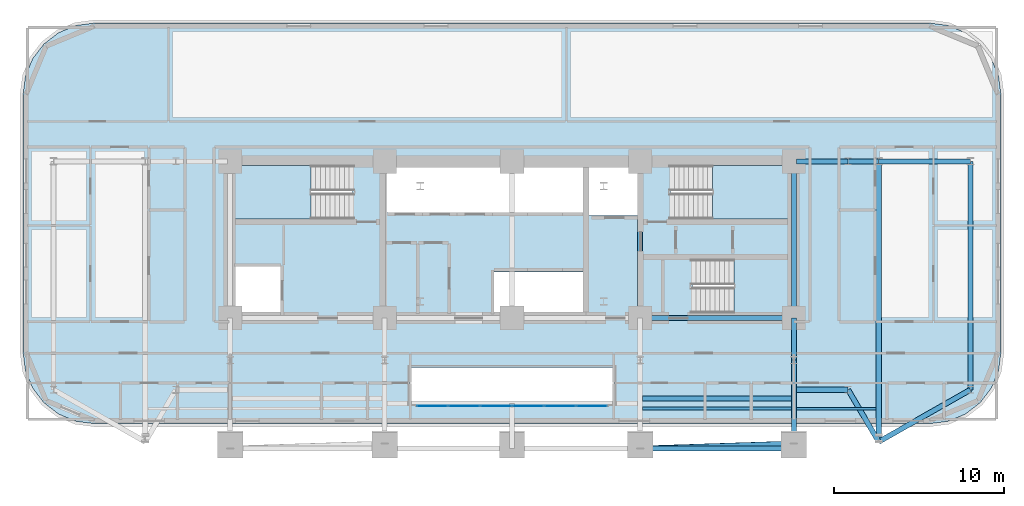
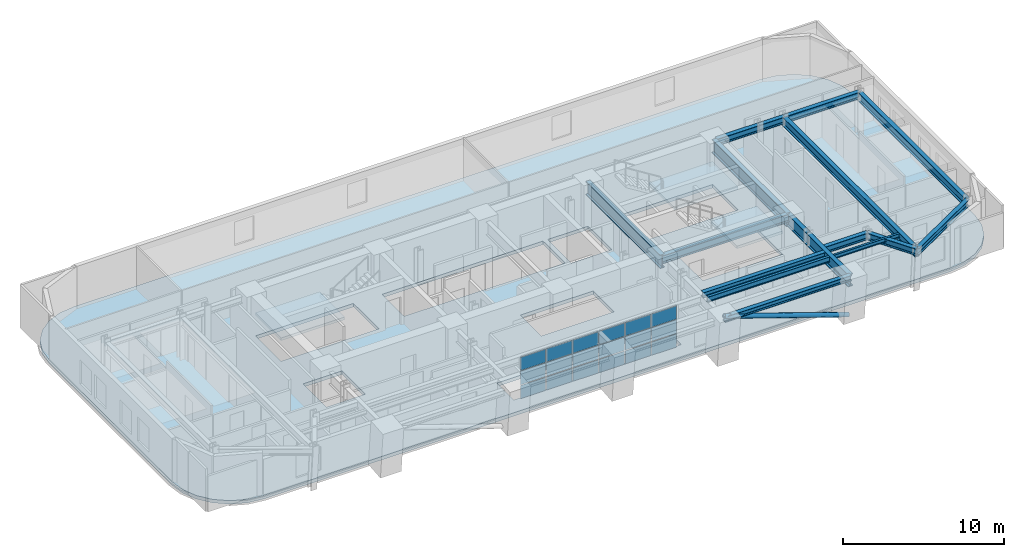
# One storey, part 6 of 16: 18 plates, 17 beams, 4 slabs, 1 member, 4 elements without a shape of their own.
"""IFC4 building model written with IfcOpenShell, lengths in metres."""

from ifc_helpers import new_model, si_unit, direction, frame, origin, origin_2d, place, context, subcontext, project, spatial, polyline, rectangle, hollow_circle, i_section, outline, extrude, material, layer, layer_set, material_profile, profile_set, type_object, element, aggregate, save


model = new_model("IFC4")

# Units and contexts
model_context = context("Model", 3, precision=1e-05, world=origin(), true_north=direction((0.0, 1.0)))
body_context = subcontext(model_context, "Body", "Model", "MODEL_VIEW")
ifc_project = project(units=[si_unit("LENGTHUNIT", "METRE"), si_unit("AREAUNIT", "SQUARE_METRE"), si_unit("VOLUMEUNIT", "CUBIC_METRE"), si_unit("PLANEANGLEUNIT", "RADIAN"), si_unit("MASSUNIT", "GRAM", prefix="KILO")], contexts=[model_context])

# Site, building, storey
site_placement = place(None, origin())
site = spatial("IfcSite", under=ifc_project, at=site_placement, CompositionType="ELEMENT")
building_placement = place(site_placement, origin())
building = spatial("IfcBuilding", under=site, at=building_placement, Name="Zarnavel Station Tower", CompositionType="ELEMENT")
storey_placement = place(building_placement, frame((0.0, 0.0, 64.0)))
storey = spatial("IfcBuildingStorey", under=building, at=storey_placement, Name="L17", CompositionType="ELEMENT", Elevation=64.0)

# Member
ifc_material_1 = material(Name="Steel S355J2", Category="steel")
ifc_material_profile_1 = material_profile(ifc_material_1, hollow_circle(Radius=0.161865234375, WallThickness=0.012451171875, at=origin_2d()), Name="CHS323.9x12.5")
ifc_profile_set_1 = profile_set([ifc_material_profile_1], Name="Steel S355J2")
member_type = type_object("IfcMemberType", Name="DB_EXT_CHS324", PredefinedType="BRACE", material=ifc_profile_set_1)
member_placement = place(storey_placement, frame((45.39990234375, 20.42822265625, 0.0), z_axis=(-0.941042303893, -0.030515076327, 0.336909798612), x_axis=(0.032409856061, -0.999474662625, 0.0)))
element("IfcMember", 1, at=member_placement, inside=storey, type_object=member_type, Name="L17 Persian Exterior Diagonal Frame Brace 2", PredefinedType="BRACE", context=body_context, shape_type="SweptSolid", body=[
    extrude(hollow_circle(Radius=0.161865234375, WallThickness=0.012451171875, at=origin_2d()), origin(), (0.0, 0.0, 1.0), 9.61669921875),
])

# Beams
ifc_material_2 = material(Name="Steel S355J2", Category="steel")
ifc_material_profile_2 = material_profile(ifc_material_2, i_section(OverallWidth=0.300048828125, OverallDepth=0.39990234375, WebThickness=0.013427734375, FlangeThickness=0.02392578125, FilletRadius=0.027099609375, at=origin_2d()), Name="HEB400")
ifc_profile_set_2 = profile_set([ifc_material_profile_2], Name="Steel S355J2")
beam_type_1 = type_object("IfcBeamType", Name="EB_HEB400", PredefinedType="SPANDREL", material=ifc_profile_set_2)
beam_1_placement = place(storey_placement, frame((36.35009765625, 20.134765625, 3.0400390625), z_axis=(1.0, 0.0, 0.0), x_axis=(0.0, 1.0, 0.0)))
element("IfcBeam", 2, at=beam_1_placement, inside=storey, type_object=beam_type_1, Name="L17 South Raked Spandrel 4", PredefinedType="SPANDREL", context=body_context, shape_type="SweptSolid", body=[
    extrude(i_section(OverallWidth=0.300048828125, OverallDepth=0.39990234375, WebThickness=0.013427734375, FlangeThickness=0.02392578125, FilletRadius=0.027099609375, at=origin_2d()), origin(), (0.0, 0.0, 1.0), 9.0498046875),
])
ifc_material_3 = material(Name="Steel S355J2", Category="steel")
ifc_material_profile_3 = material_profile(ifc_material_3, i_section(OverallWidth=0.300048828125, OverallDepth=0.389892578125, WebThickness=0.010986328125, FlangeThickness=0.01904296875, FilletRadius=0.027099609375, at=origin_2d()), Name="HEA400")
ifc_profile_set_3 = profile_set([ifc_material_profile_3], Name="Steel S355J2")
beam_type_2 = type_object("IfcBeamType", Name="FB_HEA400", PredefinedType="BEAM", material=ifc_profile_set_3)
beam_2_placement = place(storey_placement, frame((36.4951171875, 23.094970703125, 3.044921875), z_axis=(1.0, 0.0, 0.0), x_axis=(0.0, 1.0, 0.0)))
element("IfcBeam", 3, at=beam_2_placement, inside=storey, type_object=beam_type_2, Name="L17 East Bay Beam 2", PredefinedType="BEAM", context=body_context, shape_type="SweptSolid", body=[
    extrude(i_section(OverallWidth=0.300048828125, OverallDepth=0.389892578125, WebThickness=0.010986328125, FlangeThickness=0.01904296875, FilletRadius=0.027099609375, at=origin_2d()), origin(), (0.0, 0.0, 1.0), 8.759765625),
])
ifc_material_4 = material(Name="Steel S355J2", Category="steel")
ifc_material_profile_4 = material_profile(ifc_material_4, i_section(OverallWidth=0.179931640625, OverallDepth=0.39990234375, WebThickness=0.008544921875, FlangeThickness=0.013427734375, FilletRadius=0.02099609375, at=origin_2d()), Name="IPE400")
ifc_profile_set_4 = profile_set([ifc_material_profile_4], Name="Steel S355J2")
beam_type_3 = type_object("IfcBeamType", Name="FB_IPE400", PredefinedType="BEAM", material=ifc_profile_set_4)
beam_3_placement = place(storey_placement, frame((36.4951171875, 22.48974609375, 3.0400390625), z_axis=(1.0, 0.0, 0.0), x_axis=(0.0, 1.0, 0.0)))
element("IfcBeam", 4, at=beam_3_placement, inside=storey, type_object=beam_type_3, Name="L17 East Bay Beam 1", PredefinedType="BEAM", context=body_context, shape_type="SweptSolid", body=[
    extrude(i_section(OverallWidth=0.179931640625, OverallDepth=0.39990234375, WebThickness=0.008544921875, FlangeThickness=0.013427734375, FilletRadius=0.02099609375, at=origin_2d()), origin(), (0.0, 0.0, 1.0), 8.759765625),
])
ifc_material_5 = material(Name="Steel S355J2", Category="steel")
ifc_material_profile_5 = material_profile(ifc_material_5, i_section(OverallWidth=0.300048828125, OverallDepth=0.5, WebThickness=0.014404296875, FlangeThickness=0.028076171875, FilletRadius=0.027099609375, at=origin_2d()), Name="HEB500")
ifc_profile_set_5 = profile_set([ifc_material_profile_5], Name="Steel S355J2")
beam_type_4 = type_object("IfcBeamType", Name="FG_HEB500", PredefinedType="USERDEFINED", material=ifc_profile_set_5)
for number, where, z_axis, x_axis, name in (
    (5, (45.544921875, 23.60009765625, 2.989990234375), (1.0, 0.0, 0.0), (0.0, 1.0, 0.0), "L17 East Wing South Tie 1"),
    (6, (45.544921875, 37.050048828125, 2.989990234375), (1.0, 0.0, 0.0), (0.0, 1.0, 0.0), "L17 East Wing North Tie 1"),
):
    element("IfcBeam", number, at=place(storey_placement, frame(where, z_axis=z_axis, x_axis=x_axis)), inside=storey, type_object=beam_type_4, Name=name, ObjectType="GIRDER", PredefinedType="USERDEFINED", context=body_context, shape_type="SweptSolid", body=[
        extrude(i_section(OverallWidth=0.300048828125, OverallDepth=0.5, WebThickness=0.014404296875, FlangeThickness=0.028076171875, FilletRadius=0.027099609375, at=origin_2d()), origin(), (0.0, 0.0, 1.0), 3.05517578125),
    ])
beam_4_placement = place(storey_placement, frame((48.60009765625, 23.60009765625, 2.989990234375), z_axis=(0.506371591957, -0.86231537784, 0.0), x_axis=(0.86231537784, 0.506371591957, 0.0)))
element("IfcBeam", 7, at=beam_4_placement, inside=storey, type_object=beam_type_4, Name="L17 East Wing South Tie 2", ObjectType="GIRDER", PredefinedType="USERDEFINED", context=body_context, shape_type="SweptSolid", body=[
    extrude(i_section(OverallWidth=0.300048828125, OverallDepth=0.5, WebThickness=0.014404296875, FlangeThickness=0.028076171875, FilletRadius=0.027099609375, at=origin_2d()), origin(), (0.0, 0.0, 1.0), 3.55419921875),
])
beam_5_placement = place(storey_placement, frame((48.60009765625, 37.050048828125, 2.989990234375), z_axis=(1.0, 0.0, 0.0), x_axis=(0.0, 1.0, 0.0)))
element("IfcBeam", 8, at=beam_5_placement, inside=storey, type_object=beam_type_4, Name="L17 East Wing North Tie 2", ObjectType="GIRDER", PredefinedType="USERDEFINED", context=body_context, shape_type="SweptSolid", body=[
    extrude(i_section(OverallWidth=0.300048828125, OverallDepth=0.5, WebThickness=0.014404296875, FlangeThickness=0.028076171875, FilletRadius=0.027099609375, at=origin_2d()), origin(), (0.0, 0.0, 1.0), 1.7998046875),
])
beam_6_placement = place(storey_placement, frame((50.39990234375, 20.53515625, 2.989990234375), z_axis=(0.869686371418, 0.493604715709, 0.0), x_axis=(-0.493604715709, 0.869686371418, 0.0)))
element("IfcBeam", 9, at=beam_6_placement, inside=storey, type_object=beam_type_4, Name="L17 East Wing South Tie 3", ObjectType="GIRDER", PredefinedType="USERDEFINED", context=body_context, shape_type="SweptSolid", body=[
    extrude(i_section(OverallWidth=0.300048828125, OverallDepth=0.5, WebThickness=0.014404296875, FlangeThickness=0.028076171875, FilletRadius=0.027099609375, at=origin_2d()), origin(), (0.0, 0.0, 1.0), 6.209228515625),
])
beam_7_placement = place(storey_placement, frame((50.39990234375, 37.050048828125, 2.989990234375), z_axis=(1.0, 0.0, 0.0), x_axis=(0.0, 1.0, 0.0)))
element("IfcBeam", 10, at=beam_7_placement, inside=storey, type_object=beam_type_4, Name="L17 East Wing North Tie 3", ObjectType="GIRDER", PredefinedType="USERDEFINED", context=body_context, shape_type="SweptSolid", body=[
    extrude(i_section(OverallWidth=0.300048828125, OverallDepth=0.5, WebThickness=0.014404296875, FlangeThickness=0.028076171875, FilletRadius=0.027099609375, at=origin_2d()), origin(), (0.0, 0.0, 1.0), 5.400146484375),
])
ifc_material_6 = material(Name="Steel S355J2", Category="steel")
ifc_material_profile_6 = material_profile(ifc_material_6, i_section(OverallWidth=0.300048828125, OverallDepth=0.60009765625, WebThickness=0.015380859375, FlangeThickness=0.030029296875, FilletRadius=0.027099609375, at=origin_2d()), Name="HEB600")
ifc_profile_set_6 = profile_set([ifc_material_profile_6], Name="Steel S355J2")
beam_type_5 = type_object("IfcBeamType", Name="FG_HEB600", PredefinedType="USERDEFINED", material=ifc_profile_set_6)
beam_8_placement = place(storey_placement, frame((36.35009765625, 27.820068359375, 2.93994140625), z_axis=(1.0, 0.0, 0.0), x_axis=(0.0, 1.0, 0.0)))
element("IfcBeam", 11, at=beam_8_placement, inside=storey, type_object=beam_type_5, Name="L17 Core Front Coupling Beam 4", ObjectType="GIRDER", PredefinedType="USERDEFINED", context=body_context, shape_type="SweptSolid", body=[
    extrude(i_section(OverallWidth=0.300048828125, OverallDepth=0.60009765625, WebThickness=0.015380859375, FlangeThickness=0.030029296875, FilletRadius=0.027099609375, at=origin_2d()), origin(), (0.0, 0.0, 1.0), 9.0498046875),
])
ifc_material_7 = material(Name="Steel S355J2", Category="steel")
ifc_material_profile_7 = material_profile(ifc_material_7, i_section(OverallWidth=0.300048828125, OverallDepth=0.64990234375, WebThickness=0.01611328125, FlangeThickness=0.031005859375, FilletRadius=0.027099609375, at=origin_2d()), Name="HEB650")
ifc_profile_set_7 = profile_set([ifc_material_profile_7], Name="Steel S355J2")
beam_type_6 = type_object("IfcBeamType", Name="FG_HEB650", PredefinedType="USERDEFINED", material=ifc_profile_set_7)
beam_9_placement = place(storey_placement, frame((50.39990234375, 20.53515625, 2.9150390625), z_axis=(0.0, 1.0, 0.0), x_axis=(-1.0, 0.0, 0.0)))
element("IfcBeam", 12, at=beam_9_placement, inside=storey, type_object=beam_type_6, Name="L17 Wing NS Girder 3", ObjectType="GIRDER", PredefinedType="USERDEFINED", context=body_context, shape_type="SweptSolid", body=[
    extrude(i_section(OverallWidth=0.300048828125, OverallDepth=0.64990234375, WebThickness=0.01611328125, FlangeThickness=0.031005859375, FilletRadius=0.027099609375, at=origin_2d()), origin(), (0.0, 0.0, 1.0), 16.514892578125),
])
beam_10_placement = place(storey_placement, frame((55.800048828125, 23.60009765625, 2.9150390625), z_axis=(0.0, 1.0, 0.0), x_axis=(-1.0, 0.0, 0.0)))
element("IfcBeam", 13, at=beam_10_placement, inside=storey, type_object=beam_type_6, Name="L17 Wing NS Girder 4", ObjectType="GIRDER", PredefinedType="USERDEFINED", context=body_context, shape_type="SweptSolid", body=[
    extrude(i_section(OverallWidth=0.300048828125, OverallDepth=0.64990234375, WebThickness=0.01611328125, FlangeThickness=0.031005859375, FilletRadius=0.027099609375, at=origin_2d()), origin(), (0.0, 0.0, 1.0), 13.449951171875),
])
ifc_material_8 = material(Name="Steel S355J2", Category="steel")
ifc_material_profile_8 = material_profile(ifc_material_8, i_section(OverallWidth=0.14990234375, OverallDepth=0.300048828125, WebThickness=0.007080078125, FlangeThickness=0.0107421875, FilletRadius=0.014892578125, at=origin_2d()), Name="IPE300")
ifc_profile_set_8 = profile_set([ifc_material_profile_8], Name="Steel S355J2")
beam_type_7 = type_object("IfcBeamType", Name="FJ_IPE300", PredefinedType="JOIST", material=ifc_profile_set_8)
beam_11_placement = place(storey_placement, frame((45.544921875, 22.48974609375, 3.090087890625), z_axis=(1.0, 0.0, 0.0), x_axis=(0.0, 1.0, 0.0)))
element("IfcBeam", 14, at=beam_11_placement, inside=storey, type_object=beam_type_7, Name="L17 East Wing Joist 1", PredefinedType="JOIST", context=body_context, shape_type="SweptSolid", body=[
    extrude(i_section(OverallWidth=0.14990234375, OverallDepth=0.300048828125, WebThickness=0.007080078125, FlangeThickness=0.0107421875, FilletRadius=0.014892578125, at=origin_2d()), origin(), (0.0, 0.0, 1.0), 4.7099609375),
])
ifc_material_9 = material(Name="Steel S460M", Category="steel")
ifc_material_profile_9 = material_profile(ifc_material_9, i_section(OverallWidth=0.302001953125, OverallDepth=1.008056640625, WebThickness=0.02099609375, FlangeThickness=0.0400390625, FilletRadius=0.030029296875, at=origin_2d()), Name="HEM1000")
ifc_profile_set_9 = profile_set([ifc_material_profile_9], Name="Steel S460M")
beam_type_8 = type_object("IfcBeamType", Name="TG_HEM1000", PredefinedType="USERDEFINED", material=ifc_profile_set_9)
for number, where, z_axis, x_axis, name in (
    (15, (36.35009765625, 27.820068359375, 2.736083984375), (0.0, 1.0, 0.0), (-1.0, 0.0, 0.0), "L17 Core Spine Coupling Girder 4"),
    (16, (45.39990234375, 27.820068359375, 2.736083984375), (0.0, 1.0, 0.0), (-1.0, 0.0, 0.0), "L17 Core Spine Coupling Girder 5"),
):
    element("IfcBeam", number, at=place(storey_placement, frame(where, z_axis=z_axis, x_axis=x_axis)), inside=storey, type_object=beam_type_8, Name=name, ObjectType="GIRDER", PredefinedType="USERDEFINED", context=body_context, shape_type="SweptSolid", body=[
        extrude(i_section(OverallWidth=0.302001953125, OverallDepth=1.008056640625, WebThickness=0.02099609375, FlangeThickness=0.0400390625, FilletRadius=0.030029296875, at=origin_2d()), origin(), (0.0, 0.0, 1.0), 9.22998046875),
    ])
ifc_material_10 = material(Name="Steel S460M", Category="steel")
ifc_material_profile_10 = material_profile(ifc_material_10, i_section(OverallWidth=0.302001953125, OverallDepth=0.909912109375, WebThickness=0.02099609375, FlangeThickness=0.0400390625, FilletRadius=0.030029296875, at=origin_2d()), Name="HEM900")
ifc_profile_set_10 = profile_set([ifc_material_profile_10], Name="Steel S460M")
beam_type_9 = type_object("IfcBeamType", Name="TG_HEM900", PredefinedType="USERDEFINED", material=ifc_profile_set_10)
beam_12_placement = place(storey_placement, frame((45.39990234375, 20.134765625, 2.784912109375), z_axis=(0.0, 1.0, 0.0), x_axis=(-1.0, 0.0, 0.0)))
element("IfcBeam", 17, at=beam_12_placement, inside=storey, type_object=beam_type_9, Name="L17 South-Zone NS Girder 5", ObjectType="GIRDER", PredefinedType="USERDEFINED", context=body_context, shape_type="SweptSolid", body=[
    extrude(i_section(OverallWidth=0.302001953125, OverallDepth=0.909912109375, WebThickness=0.02099609375, FlangeThickness=0.0400390625, FilletRadius=0.030029296875, at=origin_2d()), origin(), (0.0, 0.0, 1.0), 5.21533203125),
])
beam_13_placement = place(storey_placement, frame((45.39990234375, 25.35009765625, 2.784912109375), z_axis=(0.0, 1.0, 0.0), x_axis=(-1.0, 0.0, 0.0)))
element("IfcBeam", 18, at=beam_13_placement, inside=storey, type_object=beam_type_9, Name="L17 Inner-Zone NS Girder 5", ObjectType="GIRDER", PredefinedType="USERDEFINED", context=body_context, shape_type="SweptSolid", body=[
    extrude(i_section(OverallWidth=0.302001953125, OverallDepth=0.909912109375, WebThickness=0.02099609375, FlangeThickness=0.0400390625, FilletRadius=0.030029296875, at=origin_2d()), origin(), (0.0, 0.0, 1.0), 2.469970703125),
])

# Curtain wall, plates
ifc_material_11 = material(Name="Aluminium Dark Anodised and Solar-Control Glass", Category="aluminium")
ifc_layer_1 = layer(ifc_material_11, 0.179931640625)
ifc_layer_set_1 = layer_set([ifc_layer_1], Name="CWS2")
curtain_wall_type = type_object("IfcCurtainWallType", Name="CWS2", PredefinedType="NOTDEFINED", material=ifc_layer_set_1)
curtain_wall_placement = place(storey_placement, origin())
curtain_wall = element("IfcCurtainWall", 19, at=curtain_wall_placement, inside=storey, type_object=curtain_wall_type, Name="L17 Curtain Wall CWS2-L17-AS", PredefinedType="NOTDEFINED")
ifc_material_12 = material(Name="Double Low-E Dark Solar-Control Glass", Category="glass")
ifc_layer_2 = layer(ifc_material_12, 0.028076171875)
ifc_layer_set_2 = layer_set([ifc_layer_2], Name="CWS2_PNL")
plate_type = type_object("IfcPlateType", Name="CWS2_PNL", PredefinedType="CURTAIN_PANEL", material=ifc_layer_set_2)
plate_1_placement = place(storey_placement, frame((24.106689453125, 22.64990234375, 0.06005859375), z_axis=(0.0, 0.0, 1.0), x_axis=(1.0, 0.0, 0.0)))
plate_1 = element("IfcPlate", 20, at=plate_1_placement, type_object=plate_type, Name="CW2 panel 1.1", PredefinedType="CURTAIN_PANEL", context=body_context, shape_type="SweptSolid", body=[
    extrude(rectangle(XDim=1.793212890625, YDim=0.028076171875, at=origin_2d()), origin(), (0.0, 0.0, 1.0), 0.989990234375),
])
plate_2_placement = place(storey_placement, frame((24.106689453125, 22.64990234375, 1.110107421875), z_axis=(0.0, 0.0, 1.0), x_axis=(1.0, 0.0, 0.0)))
plate_2 = element("IfcPlate", 21, at=plate_2_placement, type_object=plate_type, Name="CW2 panel 1.2", PredefinedType="CURTAIN_PANEL", context=body_context, shape_type="SweptSolid", body=[
    extrude(rectangle(XDim=1.793212890625, YDim=0.028076171875, at=origin_2d()), origin(), (0.0, 0.0, 1.0), 1.02001953125),
])
plate_3_placement = place(storey_placement, frame((24.106689453125, 22.64990234375, 2.18994140625), z_axis=(0.0, 0.0, 1.0), x_axis=(1.0, 0.0, 0.0)))
plate_3 = element("IfcPlate", 22, at=plate_3_placement, type_object=plate_type, Name="CW2 panel 1.3", PredefinedType="CURTAIN_PANEL", context=body_context, shape_type="SweptSolid", body=[
    extrude(rectangle(XDim=1.793212890625, YDim=0.028076171875, at=origin_2d()), origin(), (0.0, 0.0, 1.0), 0.989990234375),
])
plate_4_placement = place(storey_placement, frame((25.97509765625, 22.64990234375, 0.06005859375), z_axis=(0.0, 0.0, 1.0), x_axis=(1.0, 0.0, 0.0)))
plate_4 = element("IfcPlate", 23, at=plate_4_placement, type_object=plate_type, Name="CW2 panel 2.1", PredefinedType="CURTAIN_PANEL", context=body_context, shape_type="SweptSolid", body=[
    extrude(rectangle(XDim=1.8232421875, YDim=0.028076171875, at=origin_2d()), origin(), (0.0, 0.0, 1.0), 0.989990234375),
])
plate_5_placement = place(storey_placement, frame((25.97509765625, 22.64990234375, 1.110107421875), z_axis=(0.0, 0.0, 1.0), x_axis=(1.0, 0.0, 0.0)))
plate_5 = element("IfcPlate", 24, at=plate_5_placement, type_object=plate_type, Name="CW2 panel 2.2", PredefinedType="CURTAIN_PANEL", context=body_context, shape_type="SweptSolid", body=[
    extrude(rectangle(XDim=1.8232421875, YDim=0.028076171875, at=origin_2d()), origin(), (0.0, 0.0, 1.0), 1.02001953125),
])
plate_6_placement = place(storey_placement, frame((25.97509765625, 22.64990234375, 2.18994140625), z_axis=(0.0, 0.0, 1.0), x_axis=(1.0, 0.0, 0.0)))
plate_6 = element("IfcPlate", 25, at=plate_6_placement, type_object=plate_type, Name="CW2 panel 2.3", PredefinedType="CURTAIN_PANEL", context=body_context, shape_type="SweptSolid", body=[
    extrude(rectangle(XDim=1.8232421875, YDim=0.028076171875, at=origin_2d()), origin(), (0.0, 0.0, 1.0), 0.989990234375),
])
plate_7_placement = place(storey_placement, frame((27.8583984375, 22.64990234375, 0.06005859375), z_axis=(0.0, 0.0, 1.0), x_axis=(1.0, 0.0, 0.0)))
plate_7 = element("IfcPlate", 26, at=plate_7_placement, type_object=plate_type, Name="CW2 panel 3.1", PredefinedType="CURTAIN_PANEL", context=body_context, shape_type="SweptSolid", body=[
    extrude(rectangle(XDim=1.8232421875, YDim=0.028076171875, at=origin_2d()), origin(), (0.0, 0.0, 1.0), 0.989990234375),
])
plate_8_placement = place(storey_placement, frame((27.8583984375, 22.64990234375, 1.110107421875), z_axis=(0.0, 0.0, 1.0), x_axis=(1.0, 0.0, 0.0)))
plate_8 = element("IfcPlate", 27, at=plate_8_placement, type_object=plate_type, Name="CW2 panel 3.2", PredefinedType="CURTAIN_PANEL", context=body_context, shape_type="SweptSolid", body=[
    extrude(rectangle(XDim=1.8232421875, YDim=0.028076171875, at=origin_2d()), origin(), (0.0, 0.0, 1.0), 1.02001953125),
])
plate_9_placement = place(storey_placement, frame((27.8583984375, 22.64990234375, 2.18994140625), z_axis=(0.0, 0.0, 1.0), x_axis=(1.0, 0.0, 0.0)))
plate_9 = element("IfcPlate", 28, at=plate_9_placement, type_object=plate_type, Name="CW2 panel 3.3", PredefinedType="CURTAIN_PANEL", context=body_context, shape_type="SweptSolid", body=[
    extrude(rectangle(XDim=1.8232421875, YDim=0.028076171875, at=origin_2d()), origin(), (0.0, 0.0, 1.0), 0.989990234375),
])
plate_10_placement = place(storey_placement, frame((29.74169921875, 22.64990234375, 0.06005859375), z_axis=(0.0, 0.0, 1.0), x_axis=(1.0, 0.0, 0.0)))
plate_10 = element("IfcPlate", 29, at=plate_10_placement, type_object=plate_type, Name="CW2 panel 4.1", PredefinedType="CURTAIN_PANEL", context=body_context, shape_type="SweptSolid", body=[
    extrude(rectangle(XDim=1.8232421875, YDim=0.028076171875, at=origin_2d()), origin(), (0.0, 0.0, 1.0), 0.989990234375),
])
plate_11_placement = place(storey_placement, frame((29.74169921875, 22.64990234375, 1.110107421875), z_axis=(0.0, 0.0, 1.0), x_axis=(1.0, 0.0, 0.0)))
plate_11 = element("IfcPlate", 30, at=plate_11_placement, type_object=plate_type, Name="CW2 panel 4.2", PredefinedType="CURTAIN_PANEL", context=body_context, shape_type="SweptSolid", body=[
    extrude(rectangle(XDim=1.8232421875, YDim=0.028076171875, at=origin_2d()), origin(), (0.0, 0.0, 1.0), 1.02001953125),
])
plate_12_placement = place(storey_placement, frame((29.74169921875, 22.64990234375, 2.18994140625), z_axis=(0.0, 0.0, 1.0), x_axis=(1.0, 0.0, 0.0)))
plate_12 = element("IfcPlate", 31, at=plate_12_placement, type_object=plate_type, Name="CW2 panel 4.3", PredefinedType="CURTAIN_PANEL", context=body_context, shape_type="SweptSolid", body=[
    extrude(rectangle(XDim=1.8232421875, YDim=0.028076171875, at=origin_2d()), origin(), (0.0, 0.0, 1.0), 0.989990234375),
])
plate_13_placement = place(storey_placement, frame((31.625, 22.64990234375, 0.06005859375), z_axis=(0.0, 0.0, 1.0), x_axis=(1.0, 0.0, 0.0)))
plate_13 = element("IfcPlate", 32, at=plate_13_placement, type_object=plate_type, Name="CW2 panel 5.1", PredefinedType="CURTAIN_PANEL", context=body_context, shape_type="SweptSolid", body=[
    extrude(rectangle(XDim=1.8232421875, YDim=0.028076171875, at=origin_2d()), origin(), (0.0, 0.0, 1.0), 0.989990234375),
])
plate_14_placement = place(storey_placement, frame((31.625, 22.64990234375, 1.110107421875), z_axis=(0.0, 0.0, 1.0), x_axis=(1.0, 0.0, 0.0)))
plate_14 = element("IfcPlate", 33, at=plate_14_placement, type_object=plate_type, Name="CW2 panel 5.2", PredefinedType="CURTAIN_PANEL", context=body_context, shape_type="SweptSolid", body=[
    extrude(rectangle(XDim=1.8232421875, YDim=0.028076171875, at=origin_2d()), origin(), (0.0, 0.0, 1.0), 1.02001953125),
])
plate_15_placement = place(storey_placement, frame((31.625, 22.64990234375, 2.18994140625), z_axis=(0.0, 0.0, 1.0), x_axis=(1.0, 0.0, 0.0)))
plate_15 = element("IfcPlate", 34, at=plate_15_placement, type_object=plate_type, Name="CW2 panel 5.3", PredefinedType="CURTAIN_PANEL", context=body_context, shape_type="SweptSolid", body=[
    extrude(rectangle(XDim=1.8232421875, YDim=0.028076171875, at=origin_2d()), origin(), (0.0, 0.0, 1.0), 0.989990234375),
])
plate_16_placement = place(storey_placement, frame((33.493408203125, 22.64990234375, 0.06005859375), z_axis=(0.0, 0.0, 1.0), x_axis=(1.0, 0.0, 0.0)))
plate_16 = element("IfcPlate", 35, at=plate_16_placement, type_object=plate_type, Name="CW2 panel 6.1", PredefinedType="CURTAIN_PANEL", context=body_context, shape_type="SweptSolid", body=[
    extrude(rectangle(XDim=1.793212890625, YDim=0.028076171875, at=origin_2d()), origin(), (0.0, 0.0, 1.0), 0.989990234375),
])
plate_17_placement = place(storey_placement, frame((33.493408203125, 22.64990234375, 1.110107421875), z_axis=(0.0, 0.0, 1.0), x_axis=(1.0, 0.0, 0.0)))
plate_17 = element("IfcPlate", 36, at=plate_17_placement, type_object=plate_type, Name="CW2 panel 6.2", PredefinedType="CURTAIN_PANEL", context=body_context, shape_type="SweptSolid", body=[
    extrude(rectangle(XDim=1.793212890625, YDim=0.028076171875, at=origin_2d()), origin(), (0.0, 0.0, 1.0), 1.02001953125),
])
plate_18_placement = place(storey_placement, frame((33.493408203125, 22.64990234375, 2.18994140625), z_axis=(0.0, 0.0, 1.0), x_axis=(1.0, 0.0, 0.0)))
plate_18 = element("IfcPlate", 37, at=plate_18_placement, type_object=plate_type, Name="CW2 panel 6.3", PredefinedType="CURTAIN_PANEL", context=body_context, shape_type="SweptSolid", body=[
    extrude(rectangle(XDim=1.793212890625, YDim=0.028076171875, at=origin_2d()), origin(), (0.0, 0.0, 1.0), 0.989990234375),
])
aggregate(curtain_wall, [plate_1, plate_2, plate_3, plate_4, plate_5, plate_6, plate_7, plate_8, plate_9, plate_10, plate_11, plate_12, plate_13, plate_14, plate_15, plate_16, plate_17, plate_18])

# Slab
ifc_material_13 = material(Name="Concrete C45/55", Category="concrete")
ifc_layer_3 = layer(ifc_material_13, 0.260009765625)
ifc_layer_set_3 = layer_set([ifc_layer_3], Name="SL_FLR_260")
slab_type_1 = type_object("IfcSlabType", Name="SL_FLR_260", PredefinedType="FLOOR", material=ifc_layer_set_3)
slab_1_placement = place(storey_placement, frame((0.0, 0.0, -0.260009765625)))
element("IfcSlab", 38, at=slab_1_placement, inside=storey, type_object=slab_type_1, Name="L17 Structural Floor Slab", PredefinedType="FLOOR", context=body_context, shape_type="SweptSolid", body=[
    extrude(outline(polyline([(53.39990234375, 21.60009765625), (54.487060546875, 21.7431640625), (55.5, 22.16259765625), (56.369873046875, 22.830078125), (57.037353515625, 23.699951171875), (57.456787109375, 24.712890625), (57.60009765625, 25.800048828125), (57.60009765625, 41.0), (57.456787109375, 42.0869140625), (57.037353515625, 43.10009765625), (56.369873046875, 43.9697265625), (55.5, 44.63720703125), (54.487060546875, 45.056884765625), (53.39990234375, 45.199951171875), (4.199951171875, 45.199951171875), (3.113037109375, 45.056884765625), (2.10009765625, 44.63720703125), (1.230224609375, 43.9697265625), (0.562744140625, 43.10009765625), (0.14306640625, 42.0869140625), (0.0, 41.0), (0.0, 25.800048828125), (0.14306640625, 24.712890625), (0.562744140625, 23.699951171875), (1.230224609375, 22.830078125), (2.10009765625, 22.16259765625), (3.113037109375, 21.7431640625), (4.199951171875, 21.60009765625), (53.39990234375, 21.60009765625)]), holes=[polyline([(12.39990234375, 33.659912109375), (19.409912109375, 33.659912109375), (19.409912109375, 36.820068359375), (12.39990234375, 36.820068359375), (12.39990234375, 33.659912109375)]), polyline([(38.14990234375, 33.659912109375), (45.159912109375, 33.659912109375), (45.159912109375, 36.820068359375), (38.14990234375, 36.820068359375), (38.14990234375, 33.659912109375)]), polyline([(39.419921875, 28.1201171875), (45.14990234375, 28.1201171875), (45.14990234375, 31.280029296875), (39.419921875, 31.280029296875), (39.419921875, 28.1201171875)]), polyline([(12.35009765625, 27.949951171875), (15.14990234375, 27.949951171875), (15.14990234375, 30.85009765625), (12.35009765625, 30.85009765625), (12.35009765625, 27.949951171875)]), polyline([(33.320068359375, 33.85009765625), (36.2099609375, 33.85009765625), (36.2099609375, 36.780029296875), (33.320068359375, 36.780029296875), (33.320068359375, 33.85009765625)]), polyline([(21.449951171875, 34.050048828125), (32.97998046875, 34.050048828125), (32.97998046875, 36.780029296875), (21.449951171875, 36.780029296875), (21.449951171875, 34.050048828125)]), polyline([(27.75, 27.949951171875), (32.97998046875, 27.949951171875), (32.97998046875, 30.550048828125), (27.75, 30.550048828125), (27.75, 27.949951171875)]), polyline([(22.800048828125, 22.800048828125), (34.800048828125, 22.800048828125), (34.800048828125, 24.89990234375), (22.800048828125, 24.89990234375), (22.800048828125, 22.800048828125)])]), origin(), (0.0, 0.0, 1.0), 0.260009765625),
])

# Stair, slab
ifc_material_14 = material(Name="Concrete C45/55", Category="concrete")
stair_type = type_object("IfcStairType", Name="ST_CORE_150", PredefinedType="HALF_TURN_STAIR", material=ifc_material_14)
stair_1_placement = place(storey_placement, origin())
stair_1 = element("IfcStair", 39, at=stair_1_placement, inside=storey, type_object=stair_type, Name="L17 Core Exit Stair ST1", PredefinedType="HALF_TURN_STAIR")
ifc_material_15 = material(Name="Concrete C45/55", Category="concrete")
ifc_layer_4 = layer(ifc_material_15, 0.199951171875)
ifc_layer_set_4 = layer_set([ifc_layer_4], Name="SL_STAIR_LAND_200")
slab_type_2 = type_object("IfcSlabType", Name="SL_STAIR_LAND_200", PredefinedType="LANDING", material=ifc_layer_set_4)
slab_2_placement = place(storey_placement, frame((0.0, 0.0, 1.550048828125)))
slab_2 = element("IfcSlab", 40, at=slab_2_placement, type_object=slab_type_2, Name="ST1 landing 1", PredefinedType="LANDING", context=body_context, shape_type="SweptSolid", body=[
    extrude(outline(polyline([(16.9599609375, 36.820068359375), (12.39990234375, 36.820068359375), (12.39990234375, 33.659912109375), (16.9599609375, 33.659912109375), (16.9599609375, 36.820068359375)])), origin(), (0.0, 0.0, 1.0), 0.199951171875),
])
aggregate(stair_1, [slab_2])

stair_2_placement = place(storey_placement, origin())
stair_2 = element("IfcStair", 41, at=stair_2_placement, inside=storey, type_object=stair_type, Name="L17 Core Exit Stair ST2", PredefinedType="HALF_TURN_STAIR")
slab_3_placement = place(storey_placement, frame((0.0, 0.0, 1.550048828125)))
slab_3 = element("IfcSlab", 42, at=slab_3_placement, type_object=slab_type_2, Name="ST2 landing 1", PredefinedType="LANDING", context=body_context, shape_type="SweptSolid", body=[
    extrude(outline(polyline([(40.60009765625, 33.659912109375), (45.159912109375, 33.659912109375), (45.159912109375, 36.820068359375), (40.60009765625, 36.820068359375), (40.60009765625, 33.659912109375)])), origin(), (0.0, 0.0, 1.0), 0.199951171875),
])
aggregate(stair_2, [slab_3])

stair_3_placement = place(storey_placement, origin())
stair_3 = element("IfcStair", 43, at=stair_3_placement, inside=storey, type_object=stair_type, Name="L17 Core Exit Stair ST3", PredefinedType="HALF_TURN_STAIR")
slab_4_placement = place(storey_placement, frame((0.0, 0.0, 1.550048828125)))
slab_4 = element("IfcSlab", 44, at=slab_4_placement, type_object=slab_type_2, Name="ST3 landing 1", PredefinedType="LANDING", context=body_context, shape_type="SweptSolid", body=[
    extrude(outline(polyline([(41.8701171875, 28.1201171875), (45.14990234375, 28.1201171875), (45.14990234375, 31.280029296875), (41.8701171875, 31.280029296875), (41.8701171875, 28.1201171875)])), origin(), (0.0, 0.0, 1.0), 0.199951171875),
])
aggregate(stair_3, [slab_4])

save(model, "model.ifc")
